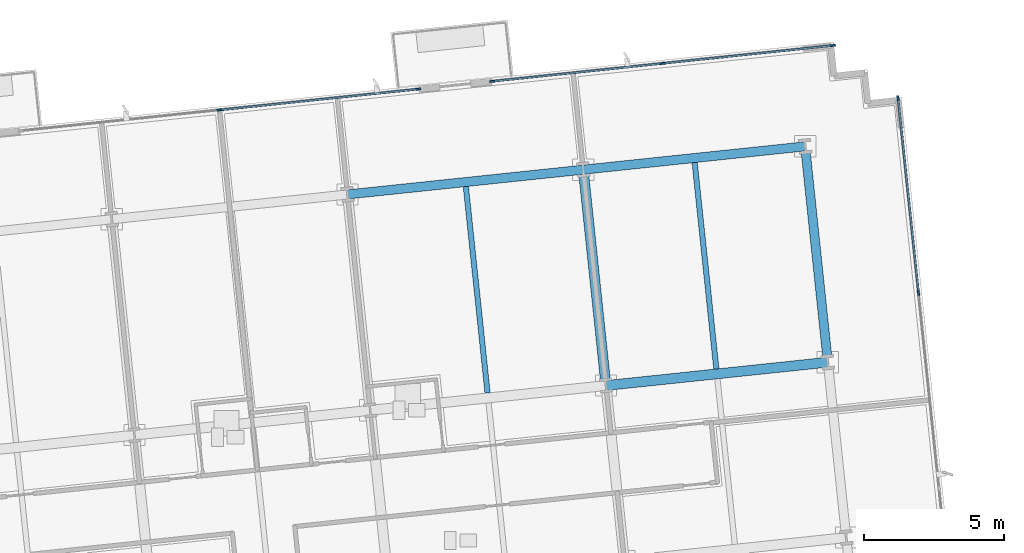
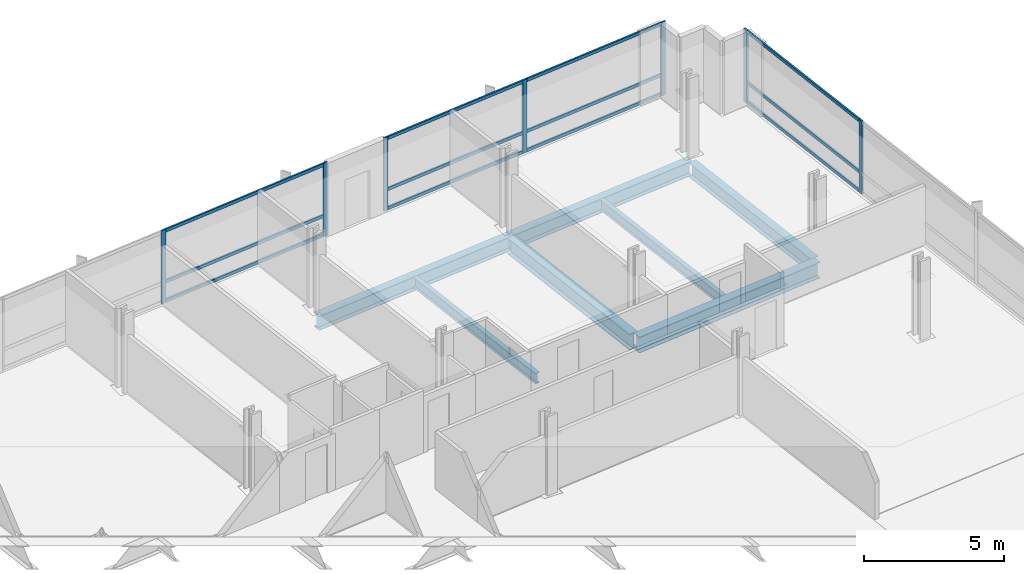
# One storey, part 8 of 18: 19 members, 7 beams, 3 elements without a shape of their own.
"""IFC4 building model written with IfcOpenShell, lengths in metres."""

from ifc_helpers import new_model, si_unit, direction, frame, origin, origin_2d, place, context, subcontext, project, spatial, rectangle, i_section, extrude, material, material_profile, profile_set, type_object, element, aggregate, save


model = new_model("IFC4")

# Units and contexts
model_context = context("Model", 3, precision=1e-05, world=origin(), true_north=direction((0.0, 1.0)))
body_context = subcontext(model_context, "Body", "Model", "MODEL_VIEW")
ifc_project = project(units=[si_unit("LENGTHUNIT", "METRE"), si_unit("AREAUNIT", "SQUARE_METRE"), si_unit("VOLUMEUNIT", "CUBIC_METRE"), si_unit("PLANEANGLEUNIT", "RADIAN"), si_unit("MASSUNIT", "GRAM", prefix="KILO")], contexts=[model_context])

# Site, building, storey
site_placement = place(None, origin())
site = spatial("IfcSite", under=ifc_project, at=site_placement, CompositionType="ELEMENT")
building_placement = place(site_placement, origin())
building = spatial("IfcBuilding", under=site, at=building_placement, Name="Solmavex Isthmus Hotel", CompositionType="ELEMENT")
storey_placement = place(building_placement, frame((0.0, 0.0, 120.14990234375)))
storey = spatial("IfcBuildingStorey", under=building, at=storey_placement, Name="L32", CompositionType="ELEMENT", Elevation=120.14990234375)

# Beams
ifc_material_1 = material(Name="Steel ASTM A992 Grade 50", Category="steel")
ifc_material_profile_1 = material_profile(ifc_material_1, i_section(OverallWidth=0.354736328125, OverallDepth=0.695556640625, WebThickness=0.015380859375, FlangeThickness=0.02490234375, FilletRadius=0.017822265625, at=origin_2d()), Name="W27X146")
ifc_profile_set_1 = profile_set([ifc_material_profile_1], Name="Steel ASTM A992 Grade 50")
beam_type_1 = type_object("IfcBeamType", Name="BM-BG-W27X146", PredefinedType="BEAM", material=ifc_profile_set_1)
beam_1_placement = place(storey_placement, frame((20.5615234375, 11.921875, -0.607666015625), z_axis=(0.994523402738, 0.104514120609, 0.0), x_axis=(-0.104514120609, 0.994523402738, 0.0)))
element("IfcBeam", 1, at=beam_1_placement, inside=storey, type_object=beam_type_1, Name="Floor Girder L32-UG18", PredefinedType="BEAM", context=body_context, shape_type="SweptSolid", body=[
    extrude(i_section(OverallWidth=0.354736328125, OverallDepth=0.695556640625, WebThickness=0.015380859375, FlangeThickness=0.02490234375, FilletRadius=0.017822265625, at=origin_2d()), origin(), (0.0, 0.0, 1.0), 7.968017578125),
])
beam_2_placement = place(storey_placement, frame((20.54296875, 12.098388671875, -0.607666015625), z_axis=(-0.1045578893, 0.994518802128, 0.0), x_axis=(-0.994518802128, -0.1045578893, 0.0)))
element("IfcBeam", 2, at=beam_2_placement, inside=storey, type_object=beam_type_1, Name="Floor Beam L32-VG45", PredefinedType="BEAM", context=body_context, shape_type="SweptSolid", body=[
    extrude(i_section(OverallWidth=0.354736328125, OverallDepth=0.695556640625, WebThickness=0.015380859375, FlangeThickness=0.02490234375, FilletRadius=0.017822265625, at=origin_2d()), origin(), (0.0, 0.0, 1.0), 7.4111328125),
])
ifc_material_profile_2 = material_profile(ifc_material_1, i_section(OverallWidth=0.1904296875, OverallDepth=0.456787109375, WebThickness=0.009033203125, FlangeThickness=0.014404296875, FilletRadius=0.0126953125, at=origin_2d()), Name="W18X50")
ifc_profile_set_2 = profile_set([ifc_material_profile_2], Name="Steel ASTM A992 Grade 50")
beam_type_2 = type_object("IfcBeamType", Name="BM-BJ-W18X50", PredefinedType="JOIST", material=ifc_profile_set_2)
for number, where, z_axis, x_axis, name in (
    (3, (16.3330078125, 11.65576171875, -0.48828125), (-0.10452188296, 0.994522586964, 0.0), (-0.994522586964, -0.10452188296, 0.0), "Secondary Floor Joist L32-J18"),
    (4, (24.505126953125, 12.5146484375, -0.48828125), (-0.10452188296, 0.994522586964, 0.0), (-0.994522586964, -0.10452188296, 0.0), "Secondary Floor Joist L32-J21"),
):
    element("IfcBeam", number, at=place(storey_placement, frame(where, z_axis=z_axis, x_axis=x_axis)), inside=storey, type_object=beam_type_2, Name=name, PredefinedType="JOIST", context=body_context, shape_type="SweptSolid", body=[
        extrude(i_section(OverallWidth=0.1904296875, OverallDepth=0.456787109375, WebThickness=0.009033203125, FlangeThickness=0.014404296875, FilletRadius=0.0126953125, at=origin_2d()), origin(), (0.0, 0.0, 1.0), 7.411376953125),
    ])
ifc_material_profile_3 = material_profile(ifc_material_1, i_section(OverallWidth=0.326416015625, OverallDepth=0.621826171875, WebThickness=0.015380859375, FlangeThickness=0.0244140625, FilletRadius=0.01513671875, at=origin_2d()), Name="W24X131")
ifc_profile_set_3 = profile_set([ifc_material_profile_3], Name="Steel ASTM A992 Grade 50")
beam_type_3 = type_object("IfcBeamType", Name="BM-SP-W24X131", PredefinedType="SPANDREL", material=ifc_profile_set_3)
beam_3_placement = place(storey_placement, frame((11.33154296875, 18.74658203125, -0.57080078125), z_axis=(0.994524082861, 0.104507648572, 0.0), x_axis=(-0.104507648572, 0.994524082861, 0.0)))
element("IfcBeam", 5, at=beam_3_placement, inside=storey, type_object=beam_type_3, Name="Floor Girder L32-UG23", PredefinedType="SPANDREL", context=body_context, shape_type="SweptSolid", body=[
    extrude(i_section(OverallWidth=0.326416015625, OverallDepth=0.621826171875, WebThickness=0.015380859375, FlangeThickness=0.0244140625, FilletRadius=0.01513671875, at=origin_2d()), origin(), (0.0, 0.0, 1.0), 8.466064453125),
])
beam_4_placement = place(storey_placement, frame((19.751220703125, 19.63134765625, -0.57080078125), z_axis=(0.994520217478, 0.10454442609, 0.0), x_axis=(-0.10454442609, 0.994520217478, 0.0)))
element("IfcBeam", 6, at=beam_4_placement, inside=storey, type_object=beam_type_3, Name="Floor Girder L32-UG24", PredefinedType="SPANDREL", context=body_context, shape_type="SweptSolid", body=[
    extrude(i_section(OverallWidth=0.326416015625, OverallDepth=0.621826171875, WebThickness=0.015380859375, FlangeThickness=0.0244140625, FilletRadius=0.01513671875, at=origin_2d()), origin(), (0.0, 0.0, 1.0), 7.968017578125),
])
beam_5_placement = place(storey_placement, frame((28.46728515625, 12.93115234375, -0.57080078125), z_axis=(-0.10452188296, 0.994522586964, 0.0), x_axis=(-0.994522586964, -0.10452188296, 0.0)))
element("IfcBeam", 7, at=beam_5_placement, inside=storey, type_object=beam_type_3, Name="Floor Beam L32-VG48", PredefinedType="SPANDREL", context=body_context, shape_type="SweptSolid", body=[
    extrude(i_section(OverallWidth=0.326416015625, OverallDepth=0.621826171875, WebThickness=0.015380859375, FlangeThickness=0.0244140625, FilletRadius=0.01513671875, at=origin_2d()), origin(), (0.0, 0.0, 1.0), 7.411376953125),
])

# Curtain wall, members
ifc_material_2 = material(Name="Aluminium alloy 6063-T6", Category="aluminium")
curtain_wall_type = type_object("IfcCurtainWallType", Name="CW-SYS-03", PredefinedType="NOTDEFINED", material=ifc_material_2)
curtain_wall_1_placement = place(storey_placement, origin())
curtain_wall_1 = element("IfcCurtainWall", 8, at=curtain_wall_1_placement, inside=storey, type_object=curtain_wall_type, Name="Stick Curtain Wall CWL-L32-N2", PredefinedType="NOTDEFINED")
ifc_material_profile_4 = material_profile(ifc_material_2, rectangle(XDim=0.070068359375, YDim=0.179931640625, at=origin_2d()), Name="CWM-70X180")
ifc_profile_set_4 = profile_set([ifc_material_profile_4], Name="Aluminium alloy 6063-T6")
member_type_1 = type_object("IfcMemberType", Name="CW-SYS-03-MUL", PredefinedType="MULLION", material=ifc_profile_set_4)
member_1_placement = place(storey_placement, frame((6.7578125, 21.764892578125, 0.0), z_axis=(0.0, 0.0, 1.0), x_axis=(-0.10452900389, 0.994521838546, 0.0)))
member_1 = element("IfcMember", 9, at=member_1_placement, type_object=member_type_1, Name="CW-03 mullion 2", PredefinedType="MULLION", context=body_context, shape_type="SweptSolid", body=[
    extrude(rectangle(XDim=0.070068359375, YDim=0.179931640625, at=origin_2d()), origin(), (0.0, 0.0, 1.0), 3.190185546875),
])
member_2_placement = place(storey_placement, frame((13.849853515625, 22.51025390625, 0.0), z_axis=(0.0, 0.0, 1.0), x_axis=(-0.10452900389, 0.994521838546, 0.0)))
member_2 = element("IfcMember", 10, at=member_2_placement, type_object=member_type_1, Name="CW-03 mullion 3", PredefinedType="MULLION", context=body_context, shape_type="SweptSolid", body=[
    extrude(rectangle(XDim=0.070068359375, YDim=0.179931640625, at=origin_2d()), origin(), (0.0, 0.0, 1.0), 3.190185546875),
])

curtain_wall_2_placement = place(storey_placement, origin())
curtain_wall_2 = element("IfcCurtainWall", 11, at=curtain_wall_2_placement, inside=storey, type_object=curtain_wall_type, Name="Stick Curtain Wall CWL-L32-N3", PredefinedType="NOTDEFINED")
member_3_placement = place(storey_placement, frame((16.505126953125, 22.789306640625, 0.0), z_axis=(0.0, 0.0, 1.0), x_axis=(-0.104528123665, 0.994521931062, 0.0)))
member_3 = element("IfcMember", 12, at=member_3_placement, type_object=member_type_1, Name="CW-03 mullion 1", PredefinedType="MULLION", context=body_context, shape_type="SweptSolid", body=[
    extrude(rectangle(XDim=0.070068359375, YDim=0.179931640625, at=origin_2d()), origin(), (0.0, 0.0, 1.0), 3.190185546875),
])
member_4_placement = place(storey_placement, frame((22.587158203125, 23.4287109375, 0.0), z_axis=(0.0, 0.0, 1.0), x_axis=(-0.104528123665, 0.994521931062, 0.0)))
member_4 = element("IfcMember", 13, at=member_4_placement, type_object=member_type_1, Name="CW-03 mullion 2", PredefinedType="MULLION", context=body_context, shape_type="SweptSolid", body=[
    extrude(rectangle(XDim=0.070068359375, YDim=0.179931640625, at=origin_2d()), origin(), (0.0, 0.0, 1.0), 3.190185546875),
])
member_5_placement = place(storey_placement, frame((28.669189453125, 24.06787109375, 0.0), z_axis=(0.0, 0.0, 1.0), x_axis=(-0.104528123665, 0.994521931062, 0.0)))
member_5 = element("IfcMember", 14, at=member_5_placement, type_object=member_type_1, Name="CW-03 mullion 3", PredefinedType="MULLION", context=body_context, shape_type="SweptSolid", body=[
    extrude(rectangle(XDim=0.070068359375, YDim=0.179931640625, at=origin_2d()), origin(), (0.0, 0.0, 1.0), 3.190185546875),
])

curtain_wall_3_placement = place(storey_placement, origin())
curtain_wall_3 = element("IfcCurtainWall", 15, at=curtain_wall_3_placement, inside=storey, type_object=curtain_wall_type, Name="Stick Curtain Wall CWL-L32-E1", PredefinedType="NOTDEFINED")
member_6_placement = place(storey_placement, frame((31.723876953125, 15.23876953125, 0.0), z_axis=(0.0, 0.0, 1.0), x_axis=(-0.994521893044, -0.104528485381, 0.0)))
member_6 = element("IfcMember", 16, at=member_6_placement, type_object=member_type_1, Name="CW-03 mullion 5", PredefinedType="MULLION", context=body_context, shape_type="SweptSolid", body=[
    extrude(rectangle(XDim=0.070068359375, YDim=0.179931640625, at=origin_2d()), origin(), (0.0, 0.0, 1.0), 3.190185546875),
])
member_7_placement = place(storey_placement, frame((30.99365234375, 22.185546875, 0.0), z_axis=(0.0, 0.0, 1.0), x_axis=(-0.994521893044, -0.104528485381, 0.0)))
member_7 = element("IfcMember", 17, at=member_7_placement, type_object=member_type_1, Name="CW-03 mullion 6", PredefinedType="MULLION", context=body_context, shape_type="SweptSolid", body=[
    extrude(rectangle(XDim=0.070068359375, YDim=0.179931640625, at=origin_2d()), origin(), (0.0, 0.0, 1.0), 3.190185546875),
])

# Member
ifc_material_profile_5 = material_profile(ifc_material_2, rectangle(XDim=0.070068359375, YDim=0.139892578125, at=origin_2d()), Name="CWT-70X140")
ifc_profile_set_5 = profile_set([ifc_material_profile_5], Name="Aluminium alloy 6063-T6")
member_type_2 = type_object("IfcMemberType", Name="CW-SYS-03-TRN", PredefinedType="USERDEFINED", material=ifc_profile_set_5)
member_8_placement = place(storey_placement, frame((6.792724609375, 21.7685546875, 0.070068359375), z_axis=(0.994522301958, 0.104524594751, 0.0), x_axis=(-0.104524594751, 0.994522301958, 0.0)))
member_8 = element("IfcMember", 18, at=member_8_placement, type_object=member_type_2, Name="CW-03 transom 2.1", ObjectType="TRANSOM", PredefinedType="USERDEFINED", context=body_context, shape_type="SweptSolid", body=[
    extrude(rectangle(XDim=0.070068359375, YDim=0.139892578125, at=origin_2d()), origin(), (0.0, 0.0, 1.0), 7.060791015625),
])

member_9_placement = place(storey_placement, frame((6.792724609375, 21.7685546875, 0.900146484375), z_axis=(0.994522301958, 0.104524594751, 0.0), x_axis=(-0.104524594751, 0.994522301958, 0.0)))
member_9 = element("IfcMember", 19, at=member_9_placement, type_object=member_type_2, Name="CW-03 transom 2.2", ObjectType="TRANSOM", PredefinedType="USERDEFINED", context=body_context, shape_type="SweptSolid", body=[
    extrude(rectangle(XDim=0.070068359375, YDim=0.139892578125, at=origin_2d()), origin(), (0.0, 0.0, 1.0), 7.060791015625),
])

member_10_placement = place(storey_placement, frame((6.792724609375, 21.7685546875, 3.1201171875), z_axis=(0.994522301958, 0.104524594751, 0.0), x_axis=(-0.104524594751, 0.994522301958, 0.0)))
member_10 = element("IfcMember", 20, at=member_10_placement, type_object=member_type_2, Name="CW-03 transom 2.3", ObjectType="TRANSOM", PredefinedType="USERDEFINED", context=body_context, shape_type="SweptSolid", body=[
    extrude(rectangle(XDim=0.070068359375, YDim=0.139892578125, at=origin_2d()), origin(), (0.0, 0.0, 1.0), 7.060791015625),
])

aggregate(curtain_wall_1, [member_1, member_2, member_8, member_9, member_10])

member_11_placement = place(storey_placement, frame((16.5400390625, 22.79296875, 0.070068359375), z_axis=(0.994519384638, 0.104552348513, 0.0), x_axis=(-0.104552348513, 0.994519384638, 0.0)))
member_11 = element("IfcMember", 21, at=member_11_placement, type_object=member_type_2, Name="CW-03 transom 1.1", ObjectType="TRANSOM", PredefinedType="USERDEFINED", context=body_context, shape_type="SweptSolid", body=[
    extrude(rectangle(XDim=0.070068359375, YDim=0.139892578125, at=origin_2d()), origin(), (0.0, 0.0, 1.0), 6.045654296875),
])

member_12_placement = place(storey_placement, frame((16.5400390625, 22.79296875, 0.900146484375), z_axis=(0.994519384638, 0.104552348513, 0.0), x_axis=(-0.104552348513, 0.994519384638, 0.0)))
member_12 = element("IfcMember", 22, at=member_12_placement, type_object=member_type_2, Name="CW-03 transom 1.2", ObjectType="TRANSOM", PredefinedType="USERDEFINED", context=body_context, shape_type="SweptSolid", body=[
    extrude(rectangle(XDim=0.070068359375, YDim=0.139892578125, at=origin_2d()), origin(), (0.0, 0.0, 1.0), 6.045654296875),
])

member_13_placement = place(storey_placement, frame((16.5400390625, 22.79296875, 3.1201171875), z_axis=(0.994519384638, 0.104552348513, 0.0), x_axis=(-0.104552348513, 0.994519384638, 0.0)))
member_13 = element("IfcMember", 23, at=member_13_placement, type_object=member_type_2, Name="CW-03 transom 1.3", ObjectType="TRANSOM", PredefinedType="USERDEFINED", context=body_context, shape_type="SweptSolid", body=[
    extrude(rectangle(XDim=0.070068359375, YDim=0.139892578125, at=origin_2d()), origin(), (0.0, 0.0, 1.0), 6.045654296875),
])

member_14_placement = place(storey_placement, frame((22.6220703125, 23.432373046875, 0.070068359375), z_axis=(0.994523582882, 0.104512406403, 0.0), x_axis=(-0.104512406403, 0.994523582882, 0.0)))
member_14 = element("IfcMember", 24, at=member_14_placement, type_object=member_type_2, Name="CW-03 transom 2.1", ObjectType="TRANSOM", PredefinedType="USERDEFINED", context=body_context, shape_type="SweptSolid", body=[
    extrude(rectangle(XDim=0.070068359375, YDim=0.139892578125, at=origin_2d()), origin(), (0.0, 0.0, 1.0), 6.045654296875),
])

member_15_placement = place(storey_placement, frame((22.6220703125, 23.432373046875, 0.900146484375), z_axis=(0.994523582882, 0.104512406403, 0.0), x_axis=(-0.104512406403, 0.994523582882, 0.0)))
member_15 = element("IfcMember", 25, at=member_15_placement, type_object=member_type_2, Name="CW-03 transom 2.2", ObjectType="TRANSOM", PredefinedType="USERDEFINED", context=body_context, shape_type="SweptSolid", body=[
    extrude(rectangle(XDim=0.070068359375, YDim=0.139892578125, at=origin_2d()), origin(), (0.0, 0.0, 1.0), 6.045654296875),
])

member_16_placement = place(storey_placement, frame((22.6220703125, 23.432373046875, 3.1201171875), z_axis=(0.994523582882, 0.104512406403, 0.0), x_axis=(-0.104512406403, 0.994523582882, 0.0)))
member_16 = element("IfcMember", 26, at=member_16_placement, type_object=member_type_2, Name="CW-03 transom 2.3", ObjectType="TRANSOM", PredefinedType="USERDEFINED", context=body_context, shape_type="SweptSolid", body=[
    extrude(rectangle(XDim=0.070068359375, YDim=0.139892578125, at=origin_2d()), origin(), (0.0, 0.0, 1.0), 6.045654296875),
])

aggregate(curtain_wall_2, [member_3, member_4, member_5, member_11, member_12, member_13, member_14, member_15, member_16])

member_17_placement = place(storey_placement, frame((31.72021484375, 15.273681640625, 0.070068359375), z_axis=(-0.104539595565, 0.994520725254, 0.0), x_axis=(-0.994520725254, -0.104539595565, 0.0)))
member_17 = element("IfcMember", 27, at=member_17_placement, type_object=member_type_2, Name="CW-03 transom 5.1", ObjectType="TRANSOM", PredefinedType="USERDEFINED", context=body_context, shape_type="SweptSolid", body=[
    extrude(rectangle(XDim=0.070068359375, YDim=0.139892578125, at=origin_2d()), origin(), (0.0, 0.0, 1.0), 6.9150390625),
])

member_18_placement = place(storey_placement, frame((31.72021484375, 15.273681640625, 0.900146484375), z_axis=(-0.104539595565, 0.994520725254, 0.0), x_axis=(-0.994520725254, -0.104539595565, 0.0)))
member_18 = element("IfcMember", 28, at=member_18_placement, type_object=member_type_2, Name="CW-03 transom 5.2", ObjectType="TRANSOM", PredefinedType="USERDEFINED", context=body_context, shape_type="SweptSolid", body=[
    extrude(rectangle(XDim=0.070068359375, YDim=0.139892578125, at=origin_2d()), origin(), (0.0, 0.0, 1.0), 6.9150390625),
])

member_19_placement = place(storey_placement, frame((31.72021484375, 15.273681640625, 3.1201171875), z_axis=(-0.104539595565, 0.994520725254, 0.0), x_axis=(-0.994520725254, -0.104539595565, 0.0)))
member_19 = element("IfcMember", 29, at=member_19_placement, type_object=member_type_2, Name="CW-03 transom 5.3", ObjectType="TRANSOM", PredefinedType="USERDEFINED", context=body_context, shape_type="SweptSolid", body=[
    extrude(rectangle(XDim=0.070068359375, YDim=0.139892578125, at=origin_2d()), origin(), (0.0, 0.0, 1.0), 6.9150390625),
])

aggregate(curtain_wall_3, [member_6, member_7, member_17, member_18, member_19])

save(model, "model.ifc")
